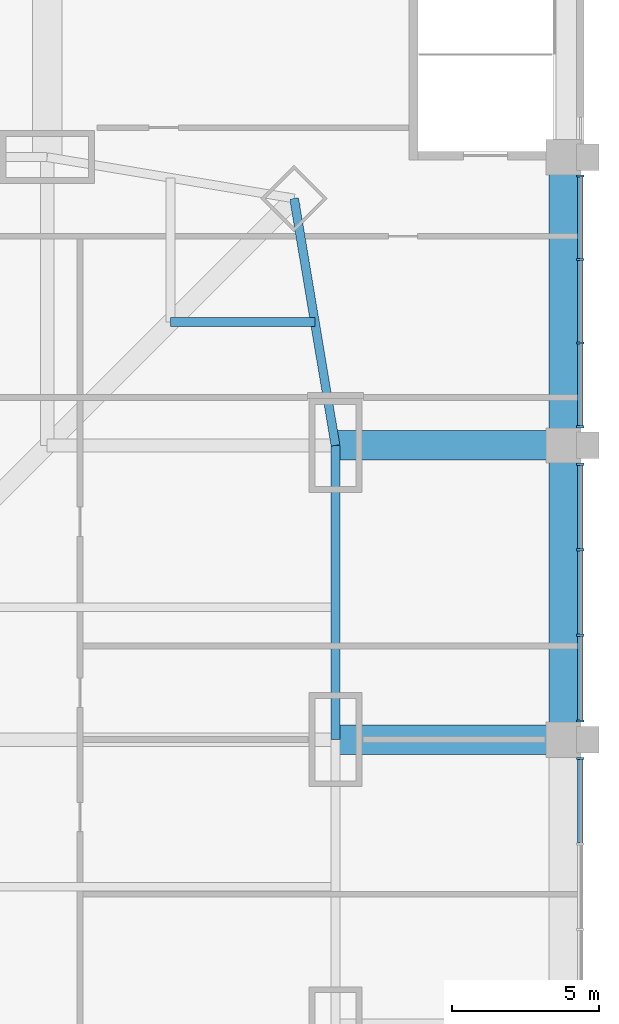
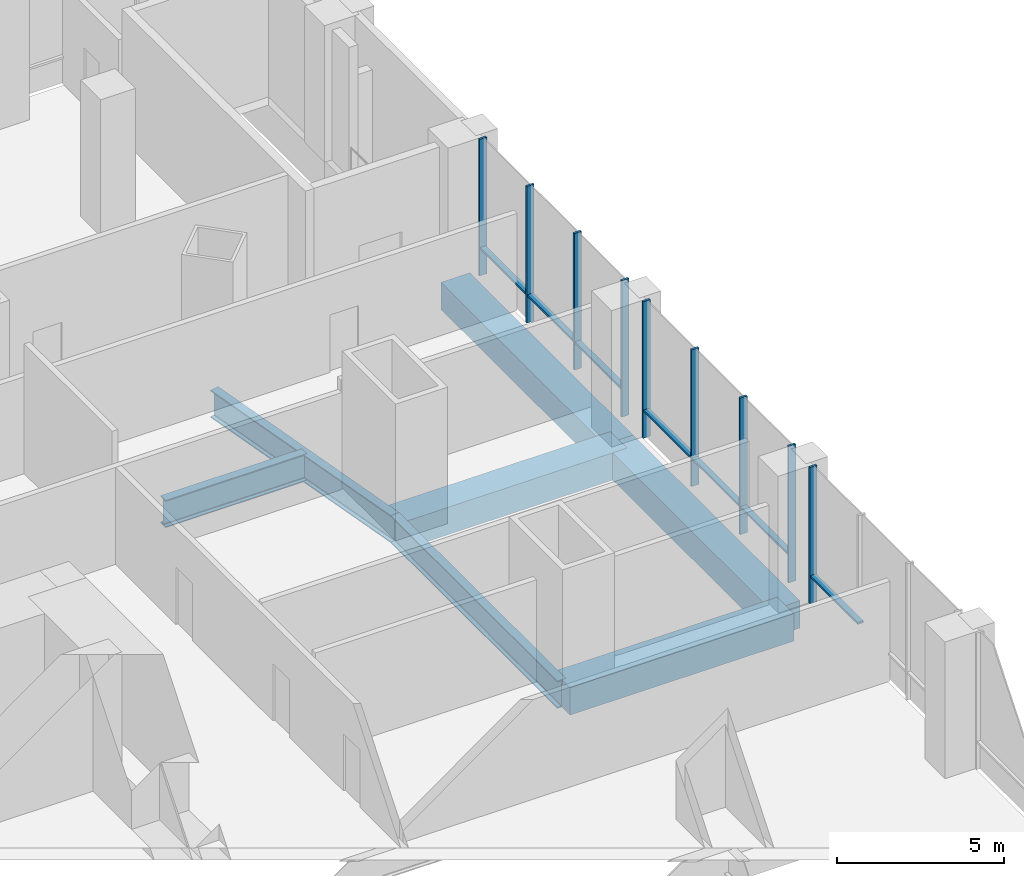
# One storey, part 9 of 22: 16 members, 7 beams, 3 elements without a shape of their own.
"""IFC4 building model written with IfcOpenShell, lengths in metres."""

from ifc_helpers import new_model, si_unit, direction, frame, origin, origin_2d, place, context, subcontext, project, spatial, rectangle, i_section, extrude, material, material_profile, profile_set, type_object, element, aggregate, save


model = new_model("IFC4")

# Units and contexts
model_context = context("Model", 3, precision=1e-05, world=origin(), true_north=direction((0.0, 1.0)))
body_context = subcontext(model_context, "Body", "Model", "MODEL_VIEW")
ifc_project = project(units=[si_unit("LENGTHUNIT", "METRE"), si_unit("AREAUNIT", "SQUARE_METRE"), si_unit("VOLUMEUNIT", "CUBIC_METRE"), si_unit("PLANEANGLEUNIT", "RADIAN"), si_unit("MASSUNIT", "GRAM", prefix="KILO")], contexts=[model_context])

# Site, building, storey
site_placement = place(None, origin())
site = spatial("IfcSite", under=ifc_project, at=site_placement, CompositionType="ELEMENT")
building_placement = place(site_placement, origin())
building = spatial("IfcBuilding", under=site, at=building_placement, Name="Khuree Lantern Residences", CompositionType="ELEMENT")
storey_placement = place(building_placement, frame((0.0, 0.0, 16.0)))
storey = spatial("IfcBuildingStorey", under=building, at=storey_placement, Name="L03", CompositionType="ELEMENT", Elevation=16.0)

# Beams
ifc_material_1 = material(Name="Steel S355", Category="steel")
ifc_material_profile_1 = material_profile(ifc_material_1, i_section(OverallWidth=0.300048828125, OverallDepth=1.0, WebThickness=0.01904296875, FlangeThickness=0.035888671875, FilletRadius=0.030029296875, at=origin_2d()), Name="HE 1000 B")
ifc_profile_set_1 = profile_set([ifc_material_profile_1], Name="Steel S355")
beam_type_1 = type_object("IfcBeamType", Name="B-03 SECONDARY BEAM HE 1000 B", PredefinedType="BEAM", material=ifc_profile_set_1)
beam_1_placement = place(storey_placement, frame((29.09716796875, 24.197021484375, -0.800048828125), z_axis=(-1.0, 0.0, 0.0), x_axis=(0.0, -1.0, 0.0)))
element("IfcBeam", 1, at=beam_1_placement, inside=storey, type_object=beam_type_1, Name="Secondary beam E1", PredefinedType="BEAM", context=body_context, shape_type="SweptSolid", body=[
    extrude(i_section(OverallWidth=0.300048828125, OverallDepth=1.0, WebThickness=0.01904296875, FlangeThickness=0.035888671875, FilletRadius=0.030029296875, at=origin_2d()), origin(), (0.0, 0.0, 1.0), 4.900146484375),
])
ifc_material_profile_2 = material_profile(ifc_material_1, i_section(OverallWidth=0.300048828125, OverallDepth=1.0, WebThickness=0.01904296875, FlangeThickness=0.035888671875, FilletRadius=0.030029296875, at=origin_2d()), Name="HE 1000 B")
ifc_profile_set_2 = profile_set([ifc_material_profile_2], Name="Steel S355")
beam_type_2 = type_object("IfcBeamType", Name="E-03 SPANDREL BEAM HE 1000 B", PredefinedType="SPANDREL", material=ifc_profile_set_2)
beam_2_placement = place(storey_placement, frame((28.39404296875, 28.39404296875, -0.800048828125), z_axis=(0.165199022349, -0.986260251158, 0.0), x_axis=(0.986260251158, 0.165199022349, 0.0)))
element("IfcBeam", 2, at=beam_2_placement, inside=storey, type_object=beam_type_2, Name="Spandrel beam E1", PredefinedType="SPANDREL", context=body_context, shape_type="SweptSolid", body=[
    extrude(i_section(OverallWidth=0.300048828125, OverallDepth=1.0, WebThickness=0.01904296875, FlangeThickness=0.035888671875, FilletRadius=0.030029296875, at=origin_2d()), origin(), (0.0, 0.0, 1.0), 8.510986328125),
])
beam_3_placement = place(storey_placement, frame((29.800048828125, 20.0, -0.800048828125), z_axis=(0.0, -1.0, 0.0), x_axis=(1.0, 0.0, 0.0)))
element("IfcBeam", 3, at=beam_3_placement, inside=storey, type_object=beam_type_2, Name="Spandrel beam E2", PredefinedType="SPANDREL", context=body_context, shape_type="SweptSolid", body=[
    extrude(i_section(OverallWidth=0.300048828125, OverallDepth=1.0, WebThickness=0.01904296875, FlangeThickness=0.035888671875, FilletRadius=0.030029296875, at=origin_2d()), origin(), (0.0, 0.0, 1.0), 10.0),
])

# Curtain wall, member
ifc_material_2 = material(Name="Bronze anodised aluminium", Category="aluminium")
curtain_wall_type = type_object("IfcCurtainWallType", Name="CW-P PODIUM STOREFRONT CURTAIN WALL", PredefinedType="USERDEFINED", material=ifc_material_2)
curtain_wall_1_placement = place(storey_placement, origin())
curtain_wall_1 = element("IfcCurtainWall", 4, at=curtain_wall_1_placement, inside=storey, type_object=curtain_wall_type, Name="L03 EAST FACE BAY 4 STOREFRONT", ObjectType="Storefront curtain wall", PredefinedType="USERDEFINED")
ifc_material_profile_3 = material_profile(ifc_material_2, rectangle(XDim=0.074951171875, YDim=0.25, at=origin_2d()), Name="M5 75X250")
ifc_profile_set_3 = profile_set([ifc_material_profile_3], Name="Bronze anodised aluminium")
member_type_1 = type_object("IfcMemberType", Name="MULLION M5 STOREFRONT 75X250", PredefinedType="MULLION", material=ifc_profile_set_3)
member_1_placement = place(storey_placement, frame((38.125, 9.362548828125, 0.0), z_axis=(0.0, 0.0, 1.0), x_axis=(0.0, 1.0, 0.0)))
member_1 = element("IfcMember", 5, at=member_1_placement, type_object=member_type_1, Name="L03 EAST FACE BAY 4 MULLION 4", PredefinedType="MULLION", context=body_context, shape_type="SweptSolid", body=[
    extrude(rectangle(XDim=0.074951171875, YDim=0.25, at=origin_2d()), origin(), (0.0, 0.0, 1.0), 5.0),
])

# Curtain wall, members
curtain_wall_2_placement = place(storey_placement, origin())
curtain_wall_2 = element("IfcCurtainWall", 6, at=curtain_wall_2_placement, inside=storey, type_object=curtain_wall_type, Name="L03 EAST FACE BAY 5 STOREFRONT", ObjectType="Storefront curtain wall", PredefinedType="USERDEFINED")
member_2_placement = place(storey_placement, frame((38.125, 10.637451171875, 0.0), z_axis=(0.0, 0.0, 1.0), x_axis=(0.0, 1.0, 0.0)))
member_2 = element("IfcMember", 7, at=member_2_placement, type_object=member_type_1, Name="L03 EAST FACE BAY 5 MULLION 1", PredefinedType="MULLION", context=body_context, shape_type="SweptSolid", body=[
    extrude(rectangle(XDim=0.074951171875, YDim=0.25, at=origin_2d()), origin(), (0.0, 0.0, 1.0), 5.0),
])
member_3_placement = place(storey_placement, frame((38.125, 13.5458984375, 0.0), z_axis=(0.0, 0.0, 1.0), x_axis=(0.0, 1.0, 0.0)))
member_3 = element("IfcMember", 8, at=member_3_placement, type_object=member_type_1, Name="L03 EAST FACE BAY 5 MULLION 2", PredefinedType="MULLION", context=body_context, shape_type="SweptSolid", body=[
    extrude(rectangle(XDim=0.074951171875, YDim=0.25, at=origin_2d()), origin(), (0.0, 0.0, 1.0), 5.0),
])
member_4_placement = place(storey_placement, frame((38.125, 16.4541015625, 0.0), z_axis=(0.0, 0.0, 1.0), x_axis=(0.0, 1.0, 0.0)))
member_4 = element("IfcMember", 9, at=member_4_placement, type_object=member_type_1, Name="L03 EAST FACE BAY 5 MULLION 3", PredefinedType="MULLION", context=body_context, shape_type="SweptSolid", body=[
    extrude(rectangle(XDim=0.074951171875, YDim=0.25, at=origin_2d()), origin(), (0.0, 0.0, 1.0), 5.0),
])
member_5_placement = place(storey_placement, frame((38.125, 19.362548828125, 0.0), z_axis=(0.0, 0.0, 1.0), x_axis=(0.0, 1.0, 0.0)))
member_5 = element("IfcMember", 10, at=member_5_placement, type_object=member_type_1, Name="L03 EAST FACE BAY 5 MULLION 4", PredefinedType="MULLION", context=body_context, shape_type="SweptSolid", body=[
    extrude(rectangle(XDim=0.074951171875, YDim=0.25, at=origin_2d()), origin(), (0.0, 0.0, 1.0), 5.0),
])

curtain_wall_3_placement = place(storey_placement, origin())
curtain_wall_3 = element("IfcCurtainWall", 11, at=curtain_wall_3_placement, inside=storey, type_object=curtain_wall_type, Name="L03 EAST FACE BAY 6 STOREFRONT", ObjectType="Storefront curtain wall", PredefinedType="USERDEFINED")
member_6_placement = place(storey_placement, frame((38.125, 20.637451171875, 0.0), z_axis=(0.0, 0.0, 1.0), x_axis=(0.0, 1.0, 0.0)))
member_6 = element("IfcMember", 12, at=member_6_placement, type_object=member_type_1, Name="L03 EAST FACE BAY 6 MULLION 1", PredefinedType="MULLION", context=body_context, shape_type="SweptSolid", body=[
    extrude(rectangle(XDim=0.074951171875, YDim=0.25, at=origin_2d()), origin(), (0.0, 0.0, 1.0), 5.0),
])
member_7_placement = place(storey_placement, frame((38.125, 23.479248046875, 0.0), z_axis=(0.0, 0.0, 1.0), x_axis=(0.0, 1.0, 0.0)))
member_7 = element("IfcMember", 13, at=member_7_placement, type_object=member_type_1, Name="L03 EAST FACE BAY 6 MULLION 2", PredefinedType="MULLION", context=body_context, shape_type="SweptSolid", body=[
    extrude(rectangle(XDim=0.074951171875, YDim=0.25, at=origin_2d()), origin(), (0.0, 0.0, 1.0), 5.0),
])
member_8_placement = place(storey_placement, frame((38.125, 26.32080078125, 0.0), z_axis=(0.0, 0.0, 1.0), x_axis=(0.0, 1.0, 0.0)))
member_8 = element("IfcMember", 14, at=member_8_placement, type_object=member_type_1, Name="L03 EAST FACE BAY 6 MULLION 3", PredefinedType="MULLION", context=body_context, shape_type="SweptSolid", body=[
    extrude(rectangle(XDim=0.074951171875, YDim=0.25, at=origin_2d()), origin(), (0.0, 0.0, 1.0), 5.0),
])
member_9_placement = place(storey_placement, frame((38.125, 29.16259765625, 0.0), z_axis=(0.0, 0.0, 1.0), x_axis=(0.0, 1.0, 0.0)))
member_9 = element("IfcMember", 15, at=member_9_placement, type_object=member_type_1, Name="L03 EAST FACE BAY 6 MULLION 4", PredefinedType="MULLION", context=body_context, shape_type="SweptSolid", body=[
    extrude(rectangle(XDim=0.074951171875, YDim=0.25, at=origin_2d()), origin(), (0.0, 0.0, 1.0), 5.0),
])

# Beams
ifc_material_3 = material(Name="Concrete C40/50", Category="concrete")
ifc_material_profile_4 = material_profile(ifc_material_3, rectangle(XDim=1.0, YDim=1.0, at=origin_2d()), Name="RC 1000X1000")
ifc_profile_set_4 = profile_set([ifc_material_profile_4], Name="Concrete C40/50")
beam_type_3 = type_object("IfcBeamType", Name="RB3 PODIUM BEAM RC 1000X1000", PredefinedType="BEAM", material=ifc_profile_set_4)
for number, where, z_axis, x_axis, name in (
    (16, (29.800048828125, 10.0, -0.800048828125), (1.0, 0.0, 0.0), (0.0, 1.0, 0.0), "Podium beam RB-8"),
    (17, (29.800048828125, 20.0, -0.800048828125), (1.0, 0.0, 0.0), (0.0, 1.0, 0.0), "Podium beam RB-10"),
):
    element("IfcBeam", number, at=place(storey_placement, frame(where, z_axis=z_axis, x_axis=x_axis)), inside=storey, type_object=beam_type_3, Name=name, PredefinedType="BEAM", context=body_context, shape_type="SweptSolid", body=[
        extrude(rectangle(XDim=1.0, YDim=1.0, at=origin_2d()), origin(), (0.0, 0.0, 1.0), 7.75),
    ])
beam_4_placement = place(storey_placement, frame((37.550048828125, 10.0, -0.800048828125), z_axis=(0.0, 1.0, 0.0), x_axis=(-1.0, 0.0, 0.0)))
element("IfcBeam", 18, at=beam_4_placement, inside=storey, type_object=beam_type_3, Name="Podium beam RB-49", PredefinedType="BEAM", context=body_context, shape_type="SweptSolid", body=[
    extrude(rectangle(XDim=1.0, YDim=1.0, at=origin_2d()), origin(), (0.0, 0.0, 1.0), 10.0),
])
beam_5_placement = place(storey_placement, frame((37.550048828125, 20.0, -0.800048828125), z_axis=(0.0, 1.0, 0.0), x_axis=(-1.0, 0.0, 0.0)))
element("IfcBeam", 19, at=beam_5_placement, inside=storey, type_object=beam_type_3, Name="Podium beam RB-50", PredefinedType="BEAM", context=body_context, shape_type="SweptSolid", body=[
    extrude(rectangle(XDim=1.0, YDim=1.0, at=origin_2d()), origin(), (0.0, 0.0, 1.0), 9.800048828125),
])

# Member
ifc_material_profile_5 = material_profile(ifc_material_2, rectangle(XDim=0.199951171875, YDim=0.074951171875, at=origin_2d()), Name="T5 200X75")
ifc_profile_set_5 = profile_set([ifc_material_profile_5], Name="Bronze anodised aluminium")
member_type_2 = type_object("IfcMemberType", Name="TRANSOM T5 STOREFRONT 200X75", PredefinedType="USERDEFINED", material=ifc_profile_set_5)
member_10_placement = place(storey_placement, frame((38.1201171875, 6.49169921875, 1.0), z_axis=(0.0, 1.0, 0.0), x_axis=(-1.0, 0.0, 0.0)))
member_10 = element("IfcMember", 20, at=member_10_placement, type_object=member_type_2, Name="L03 EAST FACE BAY 4 TRANSOM 3", ObjectType="Transom", PredefinedType="USERDEFINED", context=body_context, shape_type="SweptSolid", body=[
    extrude(rectangle(XDim=0.199951171875, YDim=0.074951171875, at=origin_2d()), origin(), (0.0, 0.0, 1.0), 2.833251953125),
])

aggregate(curtain_wall_1, [member_1, member_10])

member_11_placement = place(storey_placement, frame((38.1201171875, 10.675048828125, 1.0), z_axis=(0.0, 1.0, 0.0), x_axis=(-1.0, 0.0, 0.0)))
member_11 = element("IfcMember", 21, at=member_11_placement, type_object=member_type_2, Name="L03 EAST FACE BAY 5 TRANSOM 1", ObjectType="Transom", PredefinedType="USERDEFINED", context=body_context, shape_type="SweptSolid", body=[
    extrude(rectangle(XDim=0.199951171875, YDim=0.074951171875, at=origin_2d()), origin(), (0.0, 0.0, 1.0), 2.833251953125),
])

member_12_placement = place(storey_placement, frame((38.1201171875, 13.583251953125, 1.0), z_axis=(0.0, 1.0, 0.0), x_axis=(-1.0, 0.0, 0.0)))
member_12 = element("IfcMember", 22, at=member_12_placement, type_object=member_type_2, Name="L03 EAST FACE BAY 5 TRANSOM 2", ObjectType="Transom", PredefinedType="USERDEFINED", context=body_context, shape_type="SweptSolid", body=[
    extrude(rectangle(XDim=0.199951171875, YDim=0.074951171875, at=origin_2d()), origin(), (0.0, 0.0, 1.0), 2.83349609375),
])

member_13_placement = place(storey_placement, frame((38.1201171875, 16.49169921875, 1.0), z_axis=(0.0, 1.0, 0.0), x_axis=(-1.0, 0.0, 0.0)))
member_13 = element("IfcMember", 23, at=member_13_placement, type_object=member_type_2, Name="L03 EAST FACE BAY 5 TRANSOM 3", ObjectType="Transom", PredefinedType="USERDEFINED", context=body_context, shape_type="SweptSolid", body=[
    extrude(rectangle(XDim=0.199951171875, YDim=0.074951171875, at=origin_2d()), origin(), (0.0, 0.0, 1.0), 2.833251953125),
])

aggregate(curtain_wall_2, [member_2, member_3, member_4, member_5, member_11, member_12, member_13])

member_14_placement = place(storey_placement, frame((38.1201171875, 20.675048828125, 1.0), z_axis=(0.0, 1.0, 0.0), x_axis=(-1.0, 0.0, 0.0)))
member_14 = element("IfcMember", 24, at=member_14_placement, type_object=member_type_2, Name="L03 EAST FACE BAY 6 TRANSOM 1", ObjectType="Transom", PredefinedType="USERDEFINED", context=body_context, shape_type="SweptSolid", body=[
    extrude(rectangle(XDim=0.199951171875, YDim=0.074951171875, at=origin_2d()), origin(), (0.0, 0.0, 1.0), 2.7666015625),
])

member_15_placement = place(storey_placement, frame((38.1201171875, 23.5166015625, 1.0), z_axis=(0.0, 1.0, 0.0), x_axis=(-1.0, 0.0, 0.0)))
member_15 = element("IfcMember", 25, at=member_15_placement, type_object=member_type_2, Name="L03 EAST FACE BAY 6 TRANSOM 2", ObjectType="Transom", PredefinedType="USERDEFINED", context=body_context, shape_type="SweptSolid", body=[
    extrude(rectangle(XDim=0.199951171875, YDim=0.074951171875, at=origin_2d()), origin(), (0.0, 0.0, 1.0), 2.766845703125),
])

member_16_placement = place(storey_placement, frame((38.1201171875, 26.3583984375, 1.0), z_axis=(0.0, 1.0, 0.0), x_axis=(-1.0, 0.0, 0.0)))
member_16 = element("IfcMember", 26, at=member_16_placement, type_object=member_type_2, Name="L03 EAST FACE BAY 6 TRANSOM 3", ObjectType="Transom", PredefinedType="USERDEFINED", context=body_context, shape_type="SweptSolid", body=[
    extrude(rectangle(XDim=0.199951171875, YDim=0.074951171875, at=origin_2d()), origin(), (0.0, 0.0, 1.0), 2.7666015625),
])

aggregate(curtain_wall_3, [member_6, member_7, member_8, member_9, member_14, member_15, member_16])

save(model, "model.ifc")
